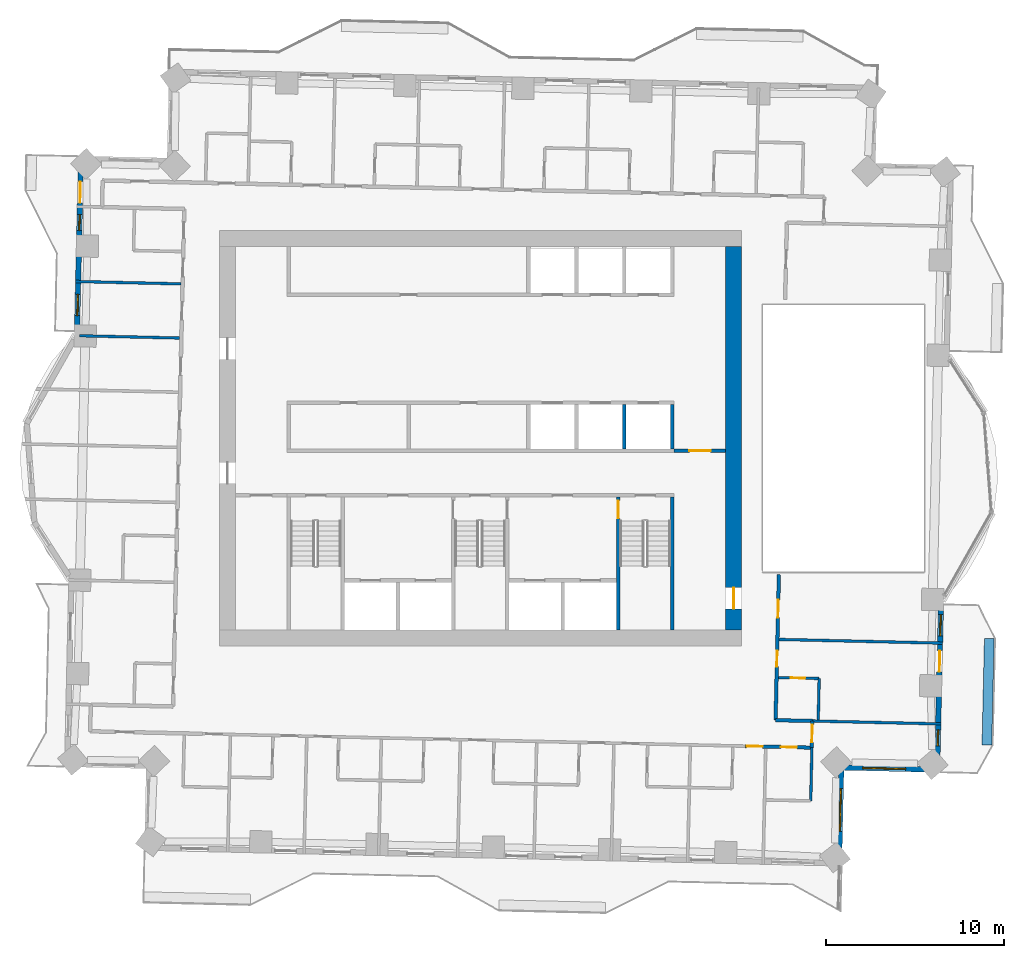
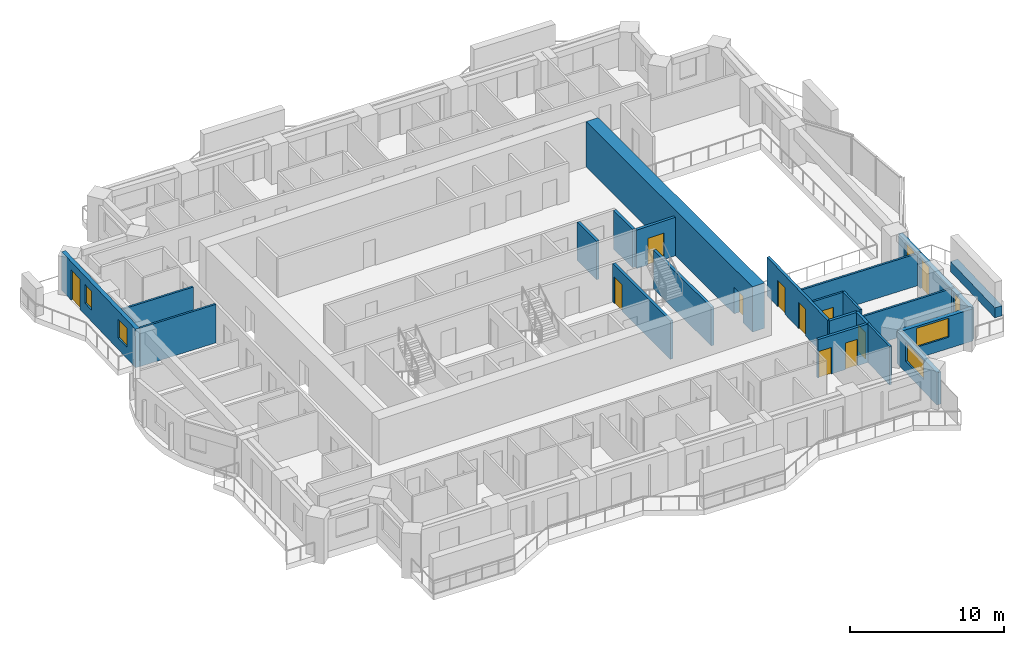
# One storey, part 7 of 14: 22 walls, 11 doors, 6 windows, 17 openings.
"""IFC4 building model written with IfcOpenShell, lengths in metres."""

from ifc_helpers import new_model, si_unit, direction, frame, frame_2d, origin, place, context, subcontext, project, spatial, rectangle, extrude, material, layer, layer_set, type_object, element, fill, save


model = new_model("IFC4")

# Units and contexts
model_context = context("Model", 3, precision=1e-05, world=origin(), true_north=direction((0.0, 1.0)))
body_context = subcontext(model_context, "Body", "Model", "MODEL_VIEW")
ifc_project = project(units=[si_unit("LENGTHUNIT", "METRE"), si_unit("AREAUNIT", "SQUARE_METRE"), si_unit("VOLUMEUNIT", "CUBIC_METRE"), si_unit("PLANEANGLEUNIT", "RADIAN"), si_unit("MASSUNIT", "GRAM", prefix="KILO")], contexts=[model_context])

# Site, building, storey
site_placement = place(None, origin())
site = spatial("IfcSite", under=ifc_project, at=site_placement, CompositionType="ELEMENT")
building_placement = place(site_placement, origin())
building = spatial("IfcBuilding", under=site, at=building_placement, Name="Mangrove Gate Tower", CompositionType="ELEMENT")
storey_placement = place(building_placement, frame((0.0, 0.0, 159.89990234375)))
storey = spatial("IfcBuildingStorey", under=building, at=storey_placement, Name="L40", CompositionType="ELEMENT", Elevation=159.89990234375)

# Wall, opening, door
ifc_material_1 = material(Name="Concrete C32/40", Category="concrete")
ifc_layer_1 = layer(ifc_material_1, 0.199951171875)
ifc_layer_set_1 = layer_set([ifc_layer_1], Name="Core lobby wall 200 C32/40")
wall_type_1 = type_object("IfcWallType", Name="Core lobby wall 200 C32/40", PredefinedType="STANDARD", material=ifc_layer_set_1)
wall_1_placement = place(storey_placement, frame((10.89990234375, -0.699951171875, 0.0), z_axis=(0.0, 0.0, 1.0), x_axis=(1.0, 0.0, 0.0)))
wall_1 = element("IfcWall", 1, at=wall_1_placement, inside=storey, type_object=wall_type_1, Name="WALL-L40-CORE-31", PredefinedType="STANDARD", context=body_context, shape_type="SweptSolid", body=[
    extrude(rectangle(XDim=2.900146484375, YDim=0.199951171875, at=frame_2d((1.4501953125, 0.0))), origin(), (0.0, 0.0, 1.0), 3.050048828125),
])
opening_1_placement = place(wall_1_placement, frame((0.85009765625, 0.0, 0.0)))
opening_1 = element("IfcOpeningElement", 2, at=opening_1_placement, cuts=wall_1, Name="Opening FL12", PredefinedType="OPENING", context=body_context, shape_type="SweptSolid", body=[
    extrude(rectangle(XDim=1.199951171875, YDim=2.10009765625, at=frame_2d((0.60009765625, 1.050048828125))), frame((0.0, 0.10986328125, 0.0), z_axis=(0.0, -1.0, 0.0), x_axis=(1.0, 0.0, 0.0)), (0.0, 0.0, 1.0), 0.219970703125),
])
ifc_material_2 = material(Name="Fire-rated steel door set", Category="steel")
door_type_1 = type_object("IfcDoorType", Name="Lobby door FD60 1200x2100", OperationType="SINGLE_SWING_LEFT", PredefinedType="DOOR", material=ifc_material_2)
door_1_placement = place(opening_1_placement, origin())
door_1 = element("IfcDoor", 3, at=door_1_placement, inside=storey, type_object=door_type_1, Name="Lobby door core corridor E partition", OperationType="SINGLE_SWING_LEFT", OverallHeight=2.10009765625, OverallWidth=1.199951171875, PredefinedType="DOOR", context=body_context, shape_type="SweptSolid", body=[
    extrude(rectangle(XDim=1.199951171875, YDim=2.10009765625, at=frame_2d((0.60009765625, 1.050048828125))), frame((0.0, 0.02490234375, 0.0), z_axis=(0.0, -1.0, 0.0), x_axis=(1.0, 0.0, 0.0)), (0.0, 0.0, 1.0), 0.050048828125),
])
fill(opening_1, door_1)

# Walls
ifc_material_3 = material(Name="Concrete C60/75", Category="concrete")
ifc_layer_2 = layer(ifc_material_3, 0.199951171875)
ifc_layer_set_2 = layer_set([ifc_layer_2], Name="Core shaft wall 200 C60/75")
wall_type_2 = type_object("IfcWallType", Name="Core shaft wall 200 C60/75", PredefinedType="SHEAR", material=ifc_layer_set_2)
for number, where, z_axis, x_axis, name in (
    (4, (8.10009765625, -0.60009765625, 0.0), (0.0, 0.0, 1.0), (0.0, 1.0, 0.0), "WALL-L40-CORE-23"),
    (5, (10.800048828125, -0.60009765625, 0.0), (0.0, 0.0, 1.0), (0.0, 1.0, 0.0), "WALL-L40-CORE-24"),
):
    element("IfcWall", number, at=place(storey_placement, frame(where, z_axis=z_axis, x_axis=x_axis)), inside=storey, type_object=wall_type_2, Name=name, PredefinedType="SHEAR", context=body_context, shape_type="SweptSolid", body=[
        extrude(rectangle(XDim=2.5, YDim=0.199951171875, at=frame_2d((1.25, 0.0))), origin(), (0.0, 0.0, 1.0), 3.050048828125),
    ])

# Wall, opening, door
ifc_material_4 = material(Name="Concrete C60/75", Category="concrete")
ifc_layer_3 = layer(ifc_material_4, 0.199951171875)
ifc_layer_set_3 = layer_set([ifc_layer_3], Name="Core stair wall 200 C60/75")
wall_type_3 = type_object("IfcWallType", Name="Core stair wall 200 C60/75", PredefinedType="SHEAR", material=ifc_layer_set_3)
wall_2_placement = place(storey_placement, frame((7.75, -10.800048828125, 0.0), z_axis=(0.0, 0.0, 1.0), x_axis=(0.0, 1.0, 0.0)))
wall_2 = element("IfcWall", 6, at=wall_2_placement, inside=storey, type_object=wall_type_3, Name="WALL-L40-CORE-13", PredefinedType="SHEAR", context=body_context, shape_type="SweptSolid", body=[
    extrude(rectangle(XDim=7.5, YDim=0.199951171875, at=frame_2d((3.75, 0.0))), origin(), (0.0, 0.0, 1.0), 3.050048828125),
])
opening_2_placement = place(wall_2_placement, frame((6.300048828125, 0.0, 0.0)))
opening_2 = element("IfcOpeningElement", 7, at=opening_2_placement, cuts=wall_2, Name="Opening STD10", PredefinedType="OPENING", context=body_context, shape_type="SweptSolid", body=[
    extrude(rectangle(XDim=1.0, YDim=2.10009765625, at=frame_2d((0.5, 1.050048828125))), frame((0.0, 0.10986328125, 0.0), z_axis=(0.0, -1.0, 0.0), x_axis=(1.0, 0.0, 0.0)), (0.0, 0.0, 1.0), 0.219970703125),
])
ifc_material_5 = material(Name="Fire-rated steel door set", Category="steel")
door_type_2 = type_object("IfcDoorType", Name="Stair door FD60 1000x2100", OperationType="SINGLE_SWING_RIGHT", PredefinedType="DOOR", material=ifc_material_5)
door_2_placement = place(opening_2_placement, origin())
door_2 = element("IfcDoor", 8, at=door_2_placement, inside=storey, type_object=door_type_2, Name="Stair door Stair 3 from fire-fighting lobby", OperationType="SINGLE_SWING_RIGHT", OverallHeight=2.10009765625, OverallWidth=1.0, PredefinedType="DOOR", context=body_context, shape_type="SweptSolid", body=[
    extrude(rectangle(XDim=1.0, YDim=2.10009765625, at=frame_2d((0.5, 1.050048828125))), frame((0.0, 0.02490234375, 0.0), z_axis=(0.0, -1.0, 0.0), x_axis=(1.0, 0.0, 0.0)), (0.0, 0.0, 1.0), 0.050048828125),
])
fill(opening_2, door_2)

# Wall
wall_3_placement = place(storey_placement, frame((10.800048828125, -10.800048828125, 0.0), z_axis=(0.0, 0.0, 1.0), x_axis=(0.0, 1.0, 0.0)))
element("IfcWall", 9, at=wall_3_placement, inside=storey, type_object=wall_type_3, Name="WALL-L40-CORE-14", PredefinedType="SHEAR", context=body_context, shape_type="SweptSolid", body=[
    extrude(rectangle(XDim=7.5, YDim=0.199951171875, at=frame_2d((3.75, 0.0))), origin(), (0.0, 0.0, 1.0), 3.050048828125),
])

# Wall, opening, door
ifc_material_6 = material(Name="Concrete C60/75", Category="concrete")
ifc_layer_4 = layer(ifc_material_6, 0.89990234375)
ifc_layer_set_4 = layer_set([ifc_layer_4], Name="Core wall 900 C60/75")
wall_type_4 = type_object("IfcWallType", Name="Core wall 900 C60/75", PredefinedType="SHEAR", material=ifc_layer_set_4)
wall_4_placement = place(storey_placement, frame((14.25, -10.800048828125, 0.0), z_axis=(0.0, 0.0, 1.0), x_axis=(0.0, 1.0, 0.0)))
wall_4 = element("IfcWall", 10, at=wall_4_placement, inside=storey, type_object=wall_type_4, Name="WALL-L40-CORE-4", PredefinedType="SHEAR", context=body_context, shape_type="SweptSolid", body=[
    extrude(rectangle(XDim=21.60009765625, YDim=0.89990234375, at=frame_2d((10.800048828125, 0.0))), origin(), (0.0, 0.0, 1.0), 3.60009765625),
])
opening_3_placement = place(wall_4_placement, frame((1.199951171875, 0.0, 0.0)))
opening_3 = element("IfcOpeningElement", 11, at=opening_3_placement, cuts=wall_4, Name="Opening CD", PredefinedType="OPENING", context=body_context, shape_type="SweptSolid", body=[
    extrude(rectangle(XDim=1.199951171875, YDim=2.10009765625, at=frame_2d((0.60009765625, 1.050048828125))), frame((0.0, 0.4599609375, 0.0), z_axis=(0.0, -1.0, 0.0), x_axis=(1.0, 0.0, 0.0)), (0.0, 0.0, 1.0), 0.919921875),
])
ifc_material_7 = material(Name="Fire-rated steel door set", Category="steel")
door_type_3 = type_object("IfcDoorType", Name="Core ring door FD60 1200x2100", OperationType="DOUBLE_DOOR_SINGLE_SWING", PredefinedType="DOOR", material=ifc_material_7)
door_3_placement = place(opening_3_placement, origin())
door_3 = element("IfcDoor", 12, at=door_3_placement, inside=storey, type_object=door_type_3, Name="Core ring door E1", OperationType="DOUBLE_DOOR_SINGLE_SWING", OverallHeight=2.10009765625, OverallWidth=1.199951171875, PredefinedType="DOOR", context=body_context, shape_type="SweptSolid", body=[
    extrude(rectangle(XDim=1.199951171875, YDim=2.10009765625, at=frame_2d((0.60009765625, 1.050048828125))), frame((0.0, 0.02490234375, 0.0), z_axis=(0.0, -1.0, 0.0), x_axis=(1.0, 0.0, 0.0)), (0.0, 0.0, 1.0), 0.050048828125),
])
fill(opening_3, door_3)

ifc_material_8 = material(Name="Gypsum board on steel stud, EI 60", Category="steel")
ifc_layer_5 = layer(ifc_material_8, 0.199951171875)
ifc_layer_set_5 = layer_set([ifc_layer_5], Name="Corridor wall EI 60")
wall_type_5 = type_object("IfcWallType", Name="Corridor wall EI 60", PredefinedType="PARTITIONING", material=ifc_layer_set_5)
wall_5_placement = place(storey_placement, frame((18.64697265625, -17.4150390625, 0.0), z_axis=(0.0, 0.0, 1.0), x_axis=(0.022617910375, 0.999744182344, 0.0)))
wall_5 = element("IfcWall", 13, at=wall_5_placement, inside=storey, type_object=wall_type_5, Name="WALL-L40-025", PredefinedType="PARTITIONING", context=body_context, shape_type="SweptSolid", body=[
    extrude(rectangle(XDim=1.50048828125, YDim=0.199951171875, at=frame_2d((0.750244140625, 0.0))), origin(), (0.0, 0.0, 1.0), 3.050048828125),
])
opening_4_placement = place(wall_5_placement, frame((0.300048828125, 0.0, 0.0)))
opening_4 = element("IfcOpeningElement", 14, at=opening_4_placement, cuts=wall_5, Name="Opening AD", PredefinedType="OPENING", context=body_context, shape_type="SweptSolid", body=[
    extrude(rectangle(XDim=1.0, YDim=2.10009765625, at=frame_2d((0.5, 1.050048828125))), frame((0.0, 0.10986328125, 0.0), z_axis=(0.0, -1.0, 0.0), x_axis=(1.0, 0.0, 0.0)), (0.0, 0.0, 1.0), 0.219970703125),
])
ifc_material_9 = material(Name="Timber door leaf", Category="wood")
door_type_4 = type_object("IfcDoorType", Name="Amenity door 1000", OperationType="SINGLE_SWING_LEFT", PredefinedType="DOOR", material=ifc_material_9)
door_4_placement = place(opening_4_placement, origin())
door_4 = element("IfcDoor", 15, at=door_4_placement, inside=storey, type_object=door_type_4, Name="DOOR-L40-STU-c3a", OperationType="SINGLE_SWING_RIGHT", OverallHeight=2.10009765625, OverallWidth=1.0, PredefinedType="DOOR", context=body_context, shape_type="SweptSolid", body=[
    extrude(rectangle(XDim=1.0, YDim=2.10009765625, at=frame_2d((0.5, 1.050048828125))), frame((0.0, 0.02490234375, 0.0), z_axis=(0.0, -1.0, 0.0), x_axis=(1.0, 0.0, 0.0)), (0.0, 0.0, 1.0), 0.050048828125),
])
fill(opening_4, door_4)

# Wall, openings, doors
wall_6_placement = place(storey_placement, frame((14.8798828125, -17.324951171875, 0.0), z_axis=(0.0, 0.0, 1.0), x_axis=(0.999739622, -0.022818593369, 0.0)))
wall_6 = element("IfcWall", 16, at=wall_6_placement, inside=storey, type_object=wall_type_5, Name="WALL-L40-028", PredefinedType="PARTITIONING", context=body_context, shape_type="SweptSolid", body=[
    extrude(rectangle(XDim=3.76611328125, YDim=0.199951171875, at=frame_2d((1.883056640625, 0.0))), origin(), (0.0, 0.0, 1.0), 3.050048828125),
])
opening_5_placement = place(wall_6_placement, frame((0.10009765625, 0.0, 0.0)))
opening_5 = element("IfcOpeningElement", 17, at=opening_5_placement, cuts=wall_6, Name="Opening BD", PredefinedType="OPENING", context=body_context, shape_type="SweptSolid", body=[
    extrude(rectangle(XDim=0.89990234375, YDim=2.10009765625, at=frame_2d((0.449951171875, 1.050048828125))), frame((0.0, 0.10986328125, 0.0), z_axis=(0.0, -1.0, 0.0), x_axis=(1.0, 0.0, 0.0)), (0.0, 0.0, 1.0), 0.219970703125),
])
opening_6_placement = place(wall_6_placement, frame((2.028076171875, 0.0, 0.0)))
opening_6 = element("IfcOpeningElement", 18, at=opening_6_placement, cuts=wall_6, Name="Opening SD", PredefinedType="OPENING", context=body_context, shape_type="SweptSolid", body=[
    extrude(rectangle(XDim=0.89990234375, YDim=2.10009765625, at=frame_2d((0.449951171875, 1.050048828125))), frame((0.0, 0.10986328125, 0.0), z_axis=(0.0, -1.0, 0.0), x_axis=(1.0, 0.0, 0.0)), (0.0, 0.0, 1.0), 0.219970703125),
])
ifc_material_10 = material(Name="Timber door leaf", Category="wood")
door_type_5 = type_object("IfcDoorType", Name="Bedroom door 900", OperationType="SINGLE_SWING_LEFT", PredefinedType="DOOR", material=ifc_material_10)
door_5_placement = place(opening_5_placement, origin())
door_5 = element("IfcDoor", 19, at=door_5_placement, inside=storey, type_object=door_type_5, Name="DOOR-L40-BED-c307", OperationType="SINGLE_SWING_LEFT", OverallHeight=2.10009765625, OverallWidth=0.89990234375, PredefinedType="DOOR", context=body_context, shape_type="SweptSolid", body=[
    extrude(rectangle(XDim=0.89990234375, YDim=2.10009765625, at=frame_2d((0.449951171875, 1.050048828125))), frame((0.0, 0.02490234375, 0.0), z_axis=(0.0, -1.0, 0.0), x_axis=(1.0, 0.0, 0.0)), (0.0, 0.0, 1.0), 0.050048828125),
])
fill(opening_5, door_5)
ifc_material_11 = material(Name="Timber door leaf", Category="wood")
door_type_6 = type_object("IfcDoorType", Name="Service room door 900", OperationType="SINGLE_SWING_LEFT", PredefinedType="DOOR", material=ifc_material_11)
door_6_placement = place(opening_6_placement, origin())
door_6 = element("IfcDoor", 20, at=door_6_placement, inside=storey, type_object=door_type_6, Name="DOOR-L40-AWC-c3a", OperationType="SINGLE_SWING_RIGHT", OverallHeight=2.10009765625, OverallWidth=0.89990234375, PredefinedType="DOOR", context=body_context, shape_type="SweptSolid", body=[
    extrude(rectangle(XDim=0.89990234375, YDim=2.10009765625, at=frame_2d((0.449951171875, 1.050048828125))), frame((0.0, 0.02490234375, 0.0), z_axis=(0.0, -1.0, 0.0), x_axis=(1.0, 0.0, 0.0)), (0.0, 0.0, 1.0), 0.050048828125),
])
fill(opening_6, door_6)

wall_7_placement = place(storey_placement, frame((16.611083984375, -15.867919921875, 0.0), z_axis=(0.0, 0.0, 1.0), x_axis=(0.022698399288, 0.999742358145, 0.0)))
wall_7 = element("IfcWall", 21, at=wall_7_placement, inside=storey, type_object=wall_type_5, Name="WALL-L40-031", PredefinedType="PARTITIONING", context=body_context, shape_type="SweptSolid", body=[
    extrude(rectangle(XDim=8.196044921875, YDim=0.199951171875, at=frame_2d((4.09814453125, 0.0))), origin(), (0.0, 0.0, 1.0), 3.050048828125),
])
opening_7_placement = place(wall_7_placement, frame((3.02490234375, 0.0, 0.0)))
opening_7 = element("IfcOpeningElement", 22, at=opening_7_placement, cuts=wall_7, Name="Opening BD", PredefinedType="OPENING", context=body_context, shape_type="SweptSolid", body=[
    extrude(rectangle(XDim=0.89990234375, YDim=2.10009765625, at=frame_2d((0.449951171875, 1.050048828125))), frame((0.0, 0.10986328125, 0.0), z_axis=(0.0, -1.0, 0.0), x_axis=(1.0, 0.0, 0.0)), (0.0, 0.0, 1.0), 0.219970703125),
])
opening_8_placement = place(wall_7_placement, frame((5.785888671875, 0.0, 0.0)))
opening_8 = element("IfcOpeningElement", 23, at=opening_8_placement, cuts=wall_7, Name="Opening AD", PredefinedType="OPENING", context=body_context, shape_type="SweptSolid", body=[
    extrude(rectangle(XDim=1.0, YDim=2.10009765625, at=frame_2d((0.5, 1.050048828125))), frame((0.0, 0.10986328125, 0.0), z_axis=(0.0, -1.0, 0.0), x_axis=(1.0, 0.0, 0.0)), (0.0, 0.0, 1.0), 0.219970703125),
])
door_7_placement = place(opening_8_placement, origin())
door_7 = element("IfcDoor", 24, at=door_7_placement, inside=storey, type_object=door_type_4, Name="DOOR-L40-STU-c3b", OperationType="SINGLE_SWING_LEFT", OverallHeight=2.10009765625, OverallWidth=1.0, PredefinedType="DOOR", context=body_context, shape_type="SweptSolid", body=[
    extrude(rectangle(XDim=1.0, YDim=2.10009765625, at=frame_2d((0.5, 1.050048828125))), frame((0.0, 0.02490234375, 0.0), z_axis=(0.0, -1.0, 0.0), x_axis=(1.0, 0.0, 0.0)), (0.0, 0.0, 1.0), 0.050048828125),
])
fill(opening_8, door_7)
door_8_placement = place(opening_7_placement, origin())
door_8 = element("IfcDoor", 25, at=door_8_placement, inside=storey, type_object=door_type_5, Name="DOOR-L40-BED-c308", OperationType="SINGLE_SWING_RIGHT", OverallHeight=2.10009765625, OverallWidth=0.89990234375, PredefinedType="DOOR", context=body_context, shape_type="SweptSolid", body=[
    extrude(rectangle(XDim=0.89990234375, YDim=2.10009765625, at=frame_2d((0.449951171875, 1.050048828125))), frame((0.0, 0.02490234375, 0.0), z_axis=(0.0, -1.0, 0.0), x_axis=(1.0, 0.0, 0.0)), (0.0, 0.0, 1.0), 0.050048828125),
])
fill(opening_7, door_8)

# Wall
wall_8_placement = place(storey_placement, frame((16.612060546875, -15.864013671875, 0.0), z_axis=(0.0, 0.0, 1.0), x_axis=(0.999742931749, -0.02267312106, 0.0)))
element("IfcWall", 26, at=wall_8_placement, inside=storey, type_object=wall_type_5, Name="WALL-L40-035", PredefinedType="PARTITIONING", context=body_context, shape_type="SweptSolid", body=[
    extrude(rectangle(XDim=2.0673828125, YDim=0.199951171875, at=frame_2d((1.03369140625, 0.0))), origin(), (0.0, 0.0, 1.0), 3.050048828125),
])

# Wall, openings, door, windows
ifc_material_12 = material(Name="Limestone", Category="masonry")
ifc_layer_6 = layer(ifc_material_12, 0.0400390625, Name="Limestone cladding")
ifc_material_13 = material(Name="Ventilated air gap")
ifc_layer_7 = layer(ifc_material_13, 0.0400390625, Name="Ventilated cavity")
ifc_material_14 = material(Name="Mineral wool insulation")
ifc_layer_8 = layer(ifc_material_14, 0.06005859375, Name="Insulation")
ifc_material_15 = material(Name="Breather membrane")
ifc_layer_9 = layer(ifc_material_15, 0.001953125, Name="Breather membrane")
ifc_material_16 = material(Name="Concrete C20/25 blockwork", Category="masonry")
ifc_layer_10 = layer(ifc_material_16, 0.14990234375, Name="Blockwork backing wall")
ifc_material_17 = material(Name="Gypsum plaster")
ifc_layer_11 = layer(ifc_material_17, 0.008056640625, Name="Internal plaster")
ifc_layer_set_6 = layer_set([ifc_layer_6, ifc_layer_7, ifc_layer_8, ifc_layer_9, ifc_layer_10, ifc_layer_11], Name="External wall 300 limestone cladding")
wall_type_6 = type_object("IfcWallType", Name="External wall 300 limestone cladding", PredefinedType="SOLIDWALL", material=ifc_layer_set_6)
wall_9_placement = place(storey_placement, frame((25.7099609375, -18.65087890625, 0.0), z_axis=(0.0, 0.0, 1.0), x_axis=(0.02274444447, 0.999741311663, 0.0)))
wall_9 = element("IfcWall", 27, at=wall_9_placement, inside=storey, type_object=wall_type_6, Name="WALL-L40-E0", PredefinedType="SOLIDWALL", context=body_context, shape_type="SweptSolid", body=[
    extrude(rectangle(XDim=9.62841796875, YDim=0.300048828125, at=frame_2d((4.814208984375, 0.0))), origin(), (0.0, 0.0, 1.0), 2.550048828125),
])
opening_9_placement = place(wall_9_placement, frame((1.3369140625, 0.0, 0.89990234375)))
opening_9 = element("IfcOpeningElement", 28, at=opening_9_placement, cuts=wall_9, Name="Opening W5", PredefinedType="OPENING", context=body_context, shape_type="SweptSolid", body=[
    extrude(rectangle(XDim=0.89990234375, YDim=1.5, at=frame_2d((0.449951171875, 0.75))), frame((0.0, 0.159912109375, 0.0), z_axis=(0.0, -1.0, 0.0), x_axis=(1.0, 0.0, 0.0)), (0.0, 0.0, 1.0), 0.320068359375),
])
opening_10_placement = place(wall_9_placement, frame((5.506103515625, 0.0, 0.0)))
opening_10 = element("IfcOpeningElement", 29, at=opening_10_placement, cuts=wall_9, Name="Opening BD2", PredefinedType="OPENING", context=body_context, shape_type="SweptSolid", body=[
    extrude(rectangle(XDim=1.199951171875, YDim=2.39990234375, at=frame_2d((0.60009765625, 1.199951171875))), frame((0.0, 0.159912109375, 0.0), z_axis=(0.0, -1.0, 0.0), x_axis=(1.0, 0.0, 0.0)), (0.0, 0.0, 1.0), 0.320068359375),
])
opening_11_placement = place(wall_9_placement, frame((7.537109375, 0.0, 0.89990234375)))
opening_11 = element("IfcOpeningElement", 30, at=opening_11_placement, cuts=wall_9, Name="Opening W1", PredefinedType="OPENING", context=body_context, shape_type="SweptSolid", body=[
    extrude(rectangle(XDim=1.199951171875, YDim=1.5, at=frame_2d((0.60009765625, 0.75))), frame((0.0, 0.159912109375, 0.0), z_axis=(0.0, -1.0, 0.0), x_axis=(1.0, 0.0, 0.0)), (0.0, 0.0, 1.0), 0.320068359375),
])
ifc_material_18 = material(Name="Aluminium frame with laminated clear glass", Category="aluminium")
door_type_7 = type_object("IfcDoorType", Name="Balcony sliding door 1200x2400", OperationType="SLIDING_TO_LEFT", PredefinedType="DOOR", material=ifc_material_18)
door_9_placement = place(opening_10_placement, origin())
door_9 = element("IfcDoor", 31, at=door_9_placement, inside=storey, type_object=door_type_7, Name="DOOR-L40-E0-2", OperationType="SLIDING_TO_LEFT", OverallHeight=2.39990234375, OverallWidth=1.199951171875, PredefinedType="DOOR", context=body_context, shape_type="SweptSolid", body=[
    extrude(rectangle(XDim=1.199951171875, YDim=2.39990234375, at=frame_2d((0.60009765625, 1.199951171875))), frame((0.0, 0.02490234375, 0.0), z_axis=(0.0, -1.0, 0.0), x_axis=(1.0, 0.0, 0.0)), (0.0, 0.0, 1.0), 0.050048828125),
])
fill(opening_10, door_9)
ifc_material_19 = material(Name="Aluminium frame with double-glazed low-e glass", Category="aluminium")
window_type_1 = type_object("IfcWindowType", Name="Narrow window 900x1500", PartitioningType="SINGLE_PANEL", PredefinedType="WINDOW", material=ifc_material_19)
window_1_placement = place(opening_9_placement, origin())
window_1 = element("IfcWindow", 32, at=window_1_placement, inside=storey, type_object=window_type_1, Name="WIN-L40-E0-1", OverallHeight=1.5, OverallWidth=0.89990234375, PartitioningType="SINGLE_PANEL", PredefinedType="WINDOW", context=body_context, shape_type="SweptSolid", body=[
    extrude(rectangle(XDim=0.89990234375, YDim=1.5, at=frame_2d((0.449951171875, 0.75))), frame((0.0, 0.030029296875, 0.0), z_axis=(0.0, -1.0, 0.0), x_axis=(1.0, 0.0, 0.0)), (0.0, 0.0, 1.0), 0.06005859375),
])
fill(opening_9, window_1)
ifc_material_20 = material(Name="Aluminium frame with double-glazed low-e glass", Category="aluminium")
window_type_2 = type_object("IfcWindowType", Name="Side lite 1200x1500", PartitioningType="SINGLE_PANEL", PredefinedType="WINDOW", material=ifc_material_20)
window_2_placement = place(opening_11_placement, origin())
window_2 = element("IfcWindow", 33, at=window_2_placement, inside=storey, type_object=window_type_2, Name="WIN-L40-E0-3", OverallHeight=1.5, OverallWidth=1.199951171875, PartitioningType="SINGLE_PANEL", PredefinedType="WINDOW", context=body_context, shape_type="SweptSolid", body=[
    extrude(rectangle(XDim=1.199951171875, YDim=1.5, at=frame_2d((0.60009765625, 0.75))), frame((0.0, 0.030029296875, 0.0), z_axis=(0.0, -1.0, 0.0), x_axis=(1.0, 0.0, 0.0)), (0.0, 0.0, 1.0), 0.06005859375),
])
fill(opening_11, window_2)

wall_10_placement = place(storey_placement, frame((-22.5009765625, 15.7509765625, 0.0), z_axis=(0.0, 0.0, 1.0), x_axis=(-0.022737995473, -0.999741458359, 0.0)))
wall_10 = element("IfcWall", 34, at=wall_10_placement, inside=storey, type_object=wall_type_6, Name="WALL-L40-W8", PredefinedType="SOLIDWALL", context=body_context, shape_type="SweptSolid", body=[
    extrude(rectangle(XDim=10.028564453125, YDim=0.300048828125, at=frame_2d((5.01416015625, 0.0))), origin(), (0.0, 0.0, 1.0), 3.050048828125),
])
opening_12_placement = place(wall_10_placement, frame((1.287109375, 0.0, 0.0)))
opening_12 = element("IfcOpeningElement", 35, at=opening_12_placement, cuts=wall_10, Name="Opening BD2", PredefinedType="OPENING", context=body_context, shape_type="SweptSolid", body=[
    extrude(rectangle(XDim=1.199951171875, YDim=2.39990234375, at=frame_2d((0.60009765625, 1.199951171875))), frame((0.0, 0.159912109375, 0.0), z_axis=(0.0, -1.0, 0.0), x_axis=(1.0, 0.0, 0.0)), (0.0, 0.0, 1.0), 0.320068359375),
])
opening_13_placement = place(wall_10_placement, frame((3.14404296875, 0.0, 0.89990234375)))
opening_13 = element("IfcOpeningElement", 36, at=opening_13_placement, cuts=wall_10, Name="Opening W5", PredefinedType="OPENING", context=body_context, shape_type="SweptSolid", body=[
    extrude(rectangle(XDim=0.89990234375, YDim=1.5, at=frame_2d((0.449951171875, 0.75))), frame((0.0, 0.159912109375, 0.0), z_axis=(0.0, -1.0, 0.0), x_axis=(1.0, 0.0, 0.0)), (0.0, 0.0, 1.0), 0.320068359375),
])
opening_14_placement = place(wall_10_placement, frame((7.636962890625, 0.0, 0.89990234375)))
opening_14 = element("IfcOpeningElement", 37, at=opening_14_placement, cuts=wall_10, Name="Opening W1", PredefinedType="OPENING", context=body_context, shape_type="SweptSolid", body=[
    extrude(rectangle(XDim=1.199951171875, YDim=1.5, at=frame_2d((0.60009765625, 0.75))), frame((0.0, 0.159912109375, 0.0), z_axis=(0.0, -1.0, 0.0), x_axis=(1.0, 0.0, 0.0)), (0.0, 0.0, 1.0), 0.320068359375),
])
door_10_placement = place(opening_12_placement, origin())
door_10 = element("IfcDoor", 38, at=door_10_placement, inside=storey, type_object=door_type_7, Name="DOOR-L40-W8-1", OperationType="SLIDING_TO_LEFT", OverallHeight=2.39990234375, OverallWidth=1.199951171875, PredefinedType="DOOR", context=body_context, shape_type="SweptSolid", body=[
    extrude(rectangle(XDim=1.199951171875, YDim=2.39990234375, at=frame_2d((0.60009765625, 1.199951171875))), frame((0.0, 0.02490234375, 0.0), z_axis=(0.0, -1.0, 0.0), x_axis=(1.0, 0.0, 0.0)), (0.0, 0.0, 1.0), 0.050048828125),
])
fill(opening_12, door_10)
window_3_placement = place(opening_13_placement, origin())
window_3 = element("IfcWindow", 39, at=window_3_placement, inside=storey, type_object=window_type_1, Name="WIN-L40-W8-2", OverallHeight=1.5, OverallWidth=0.89990234375, PartitioningType="SINGLE_PANEL", PredefinedType="WINDOW", context=body_context, shape_type="SweptSolid", body=[
    extrude(rectangle(XDim=0.89990234375, YDim=1.5, at=frame_2d((0.449951171875, 0.75))), frame((0.0, 0.030029296875, 0.0), z_axis=(0.0, -1.0, 0.0), x_axis=(1.0, 0.0, 0.0)), (0.0, 0.0, 1.0), 0.06005859375),
])
fill(opening_13, window_3)
window_4_placement = place(opening_14_placement, origin())
window_4 = element("IfcWindow", 40, at=window_4_placement, inside=storey, type_object=window_type_2, Name="WIN-L40-W8-3", OverallHeight=1.5, OverallWidth=1.199951171875, PartitioningType="SINGLE_PANEL", PredefinedType="WINDOW", context=body_context, shape_type="SweptSolid", body=[
    extrude(rectangle(XDim=1.199951171875, YDim=1.5, at=frame_2d((0.60009765625, 0.75))), frame((0.0, 0.030029296875, 0.0), z_axis=(0.0, -1.0, 0.0), x_axis=(1.0, 0.0, 0.0)), (0.0, 0.0, 1.0), 0.06005859375),
])
fill(opening_14, window_4)

# Wall, opening, window
wall_11_placement = place(storey_placement, frame((20.18896484375, -23.927001953125, 0.0), z_axis=(0.0, 0.0, 1.0), x_axis=(0.022789195272, 0.999740292565, 0.0)))
wall_11 = element("IfcWall", 41, at=wall_11_placement, inside=storey, type_object=wall_type_6, Name="WALL-L40-E14", PredefinedType="SOLIDWALL", context=body_context, shape_type="SweptSolid", body=[
    extrude(rectangle(XDim=5.3994140625, YDim=0.300048828125, at=frame_2d((2.69970703125, 0.0))), origin(), (0.0, 0.0, 1.0), 2.550048828125),
])
opening_15_placement = place(wall_11_placement, frame((1.81005859375, 0.0, 0.89990234375)))
opening_15 = element("IfcOpeningElement", 42, at=opening_15_placement, cuts=wall_11, Name="Opening W2", PredefinedType="OPENING", context=body_context, shape_type="SweptSolid", body=[
    extrude(rectangle(XDim=2.39990234375, YDim=1.5, at=frame_2d((1.199951171875, 0.75))), frame((0.0, 0.159912109375, 0.0), z_axis=(0.0, -1.0, 0.0), x_axis=(1.0, 0.0, 0.0)), (0.0, 0.0, 1.0), 0.320068359375),
])
ifc_material_21 = material(Name="Aluminium frame with double-glazed low-e glass", Category="aluminium")
window_type_3 = type_object("IfcWindowType", Name="Corner room window 2400x1500", PartitioningType="DOUBLE_PANEL_VERTICAL", PredefinedType="WINDOW", material=ifc_material_21)
window_5_placement = place(opening_15_placement, origin())
window_5 = element("IfcWindow", 43, at=window_5_placement, inside=storey, type_object=window_type_3, Name="WIN-L40-E14-1", OverallHeight=1.5, OverallWidth=2.39990234375, PartitioningType="DOUBLE_PANEL_VERTICAL", PredefinedType="WINDOW", context=body_context, shape_type="SweptSolid", body=[
    extrude(rectangle(XDim=2.39990234375, YDim=1.5, at=frame_2d((1.199951171875, 0.75))), frame((0.0, 0.030029296875, 0.0), z_axis=(0.0, -1.0, 0.0), x_axis=(1.0, 0.0, 0.0)), (0.0, 0.0, 1.0), 0.06005859375),
])
fill(opening_15, window_5)

wall_12_placement = place(storey_placement, frame((20.31201171875, -18.529052734375, 0.0), z_axis=(0.0, 0.0, 1.0), x_axis=(0.999745417973, -0.02256322766, 0.0)))
wall_12 = element("IfcWall", 44, at=wall_12_placement, inside=storey, type_object=wall_type_6, Name="WALL-L40-S15", PredefinedType="SOLIDWALL", context=body_context, shape_type="SweptSolid", body=[
    extrude(rectangle(XDim=5.3994140625, YDim=0.300048828125, at=frame_2d((2.69970703125, 0.0))), origin(), (0.0, 0.0, 1.0), 2.550048828125),
])
opening_16_placement = place(wall_12_placement, frame((1.219970703125, 0.0, 0.89990234375)))
opening_16 = element("IfcOpeningElement", 45, at=opening_16_placement, cuts=wall_12, Name="Opening W2", PredefinedType="OPENING", context=body_context, shape_type="SweptSolid", body=[
    extrude(rectangle(XDim=2.39990234375, YDim=1.5, at=frame_2d((1.199951171875, 0.75))), frame((0.0, 0.159912109375, 0.0), z_axis=(0.0, -1.0, 0.0), x_axis=(1.0, 0.0, 0.0)), (0.0, 0.0, 1.0), 0.320068359375),
])
window_6_placement = place(opening_16_placement, origin())
window_6 = element("IfcWindow", 46, at=window_6_placement, inside=storey, type_object=window_type_3, Name="WIN-L40-S15-1", OverallHeight=1.5, OverallWidth=2.39990234375, PartitioningType="DOUBLE_PANEL_VERTICAL", PredefinedType="WINDOW", context=body_context, shape_type="SweptSolid", body=[
    extrude(rectangle(XDim=2.39990234375, YDim=1.5, at=frame_2d((1.199951171875, 0.75))), frame((0.0, 0.030029296875, 0.0), z_axis=(0.0, -1.0, 0.0), x_axis=(1.0, 0.0, 0.0)), (0.0, 0.0, 1.0), 0.06005859375),
])
fill(opening_16, window_6)

# Walls
ifc_material_22 = material(Name="Gypsum board on steel stud, EI 60", Category="steel")
ifc_layer_12 = layer(ifc_material_22, 0.14990234375)
ifc_layer_set_7 = layer_set([ifc_layer_12], Name="Party wall 150 EI 60")
wall_type_7 = type_object("IfcWallType", Name="Party wall 150 EI 60", PredefinedType="PARTITIONING", material=ifc_layer_set_7)
wall_13_placement = place(storey_placement, frame((18.589111328125, -20.4140625, 0.0), z_axis=(0.0, 0.0, 1.0), x_axis=(0.022625271604, 0.999744015778, 0.0)))
element("IfcWall", 47, at=wall_13_placement, inside=storey, type_object=wall_type_7, Name="WALL-L40-010", PredefinedType="PARTITIONING", context=body_context, shape_type="SweptSolid", body=[
    extrude(rectangle(XDim=2.999755859375, YDim=0.14990234375, at=frame_2d((1.5, 0.0))), origin(), (0.0, 0.0, 1.0), 3.050048828125),
])
wall_14_placement = place(storey_placement, frame((19.011962890625, -15.847900390625, 0.0), z_axis=(0.0, 0.0, 1.0), x_axis=(0.022781023197, 0.999740478815, 0.0)))
element("IfcWall", 48, at=wall_14_placement, inside=storey, type_object=wall_type_7, Name="WALL-L40-032", PredefinedType="PARTITIONING", context=body_context, shape_type="SweptSolid", body=[
    extrude(rectangle(XDim=2.325439453125, YDim=0.14990234375, at=frame_2d((1.16259765625, 0.0))), origin(), (0.0, 0.0, 1.0), 3.050048828125),
])
wall_15_placement = place(storey_placement, frame((18.675048828125, -15.910888671875, 0.0), z_axis=(0.0, 0.0, 1.0), x_axis=(0.999743624132, -0.022642570706, 0.0)))
element("IfcWall", 49, at=wall_15_placement, inside=storey, type_object=wall_type_7, Name="WALL-L40-036", PredefinedType="PARTITIONING", context=body_context, shape_type="SweptSolid", body=[
    extrude(rectangle(XDim=7.245849609375, YDim=0.14990234375, at=frame_2d((3.623046875, 0.0))), origin(), (0.0, 0.0, 1.0), 2.550048828125),
])

# Wall, opening, door
wall_16_placement = place(storey_placement, frame((16.76708984375, -13.467041015625, 0.0), z_axis=(0.0, 0.0, 1.0), x_axis=(0.999744241736, -0.022615284993, 0.0)))
wall_16 = element("IfcWall", 50, at=wall_16_placement, inside=storey, type_object=wall_type_7, Name="WALL-L40-038", PredefinedType="PARTITIONING", context=body_context, shape_type="SweptSolid", body=[
    extrude(rectangle(XDim=2.29931640625, YDim=0.14990234375, at=frame_2d((1.149658203125, 0.0))), origin(), (0.0, 0.0, 1.0), 3.050048828125),
])
opening_17_placement = place(wall_16_placement, frame((0.699951171875, 0.0, 0.0)))
opening_17 = element("IfcOpeningElement", 51, at=opening_17_placement, cuts=wall_16, Name="Opening ED", PredefinedType="OPENING", context=body_context, shape_type="SweptSolid", body=[
    extrude(rectangle(XDim=0.800048828125, YDim=2.10009765625, at=frame_2d((0.39990234375, 1.050048828125))), frame((0.0, 0.0849609375, 0.0), z_axis=(0.0, -1.0, 0.0), x_axis=(1.0, 0.0, 0.0)), (0.0, 0.0, 1.0), 0.169921875),
])
ifc_material_23 = material(Name="Timber door leaf", Category="wood")
door_type_8 = type_object("IfcDoorType", Name="En-suite door 800", OperationType="SINGLE_SWING_LEFT", PredefinedType="DOOR", material=ifc_material_23)
door_11_placement = place(opening_17_placement, origin())
door_11 = element("IfcDoor", 52, at=door_11_placement, inside=storey, type_object=door_type_8, Name="DOOR-L40-ENS-c308", OperationType="SINGLE_SWING_RIGHT", OverallHeight=2.10009765625, OverallWidth=0.800048828125, PredefinedType="DOOR", context=body_context, shape_type="SweptSolid", body=[
    extrude(rectangle(XDim=0.800048828125, YDim=2.10009765625, at=frame_2d((0.39990234375, 1.050048828125))), frame((0.0, 0.02490234375, 0.0), z_axis=(0.0, -1.0, 0.0), x_axis=(1.0, 0.0, 0.0)), (0.0, 0.0, 1.0), 0.050048828125),
])
fill(opening_17, door_11)

# Walls
wall_17_placement = place(storey_placement, frame((16.81591796875, -11.318115234375, 0.0), z_axis=(0.0, 0.0, 1.0), x_axis=(0.999742437445, -0.022694906292, 0.0)))
element("IfcWall", 53, at=wall_17_placement, inside=storey, type_object=wall_type_7, Name="WALL-L40-039", PredefinedType="PARTITIONING", context=body_context, shape_type="SweptSolid", body=[
    extrude(rectangle(XDim=9.20849609375, YDim=0.14990234375, at=frame_2d((4.604248046875, 0.0))), origin(), (0.0, 0.0, 1.0), 2.550048828125),
])
wall_18_placement = place(storey_placement, frame((-22.577880859375, 5.780029296875, 0.0), z_axis=(0.0, 0.0, 1.0), x_axis=(0.999746200787, -0.022528515532, 0.0)))
element("IfcWall", 54, at=wall_18_placement, inside=storey, type_object=wall_type_7, Name="WALL-L40-046", PredefinedType="PARTITIONING", context=body_context, shape_type="SweptSolid", body=[
    extrude(rectangle(XDim=5.63525390625, YDim=0.14990234375, at=frame_2d((2.817626953125, 0.0))), origin(), (0.0, 0.0, 1.0), 3.050048828125),
])
wall_19_placement = place(storey_placement, frame((-22.80810546875, 8.8359375, 0.0), z_axis=(0.0, 0.0, 1.0), x_axis=(0.999744927012, -0.022584970987, 0.0)))
element("IfcWall", 55, at=wall_19_placement, inside=storey, type_object=wall_type_7, Name="WALL-L40-047", PredefinedType="PARTITIONING", context=body_context, shape_type="SweptSolid", body=[
    extrude(rectangle(XDim=5.9345703125, YDim=0.14990234375, at=frame_2d((2.96728515625, 0.0))), origin(), (0.0, 0.0, 1.0), 2.550048828125),
])
ifc_material_24 = material(Name="Concrete C32/40", Category="concrete")
ifc_layer_13 = layer(ifc_material_24, 0.199951171875, Name="Planter trough wall")
ifc_material_25 = material(Name="Bituminous waterproofing membrane")
ifc_layer_14 = layer(ifc_material_25, 0.0048828125, Name="Waterproofing")
ifc_material_26 = material(Name="Drainage board and gravel")
ifc_layer_15 = layer(ifc_material_26, 0.044921875, Name="Drainage layer")
ifc_material_27 = material(Name="Planting soil")
ifc_layer_16 = layer(ifc_material_27, 0.300048828125, Name="Growing medium")
ifc_layer_set_8 = layer_set([ifc_layer_13, ifc_layer_14, ifc_layer_15, ifc_layer_16], Name="Planter wall 550 C32/40")
wall_type_8 = type_object("IfcWallType", Name="Planter wall 550 C32/40", PredefinedType="USERDEFINED", material=ifc_layer_set_8)
wall_20_placement = place(storey_placement, frame((28.508056640625, -17.264892578125, 0.0), z_axis=(0.0, 0.0, 1.0), x_axis=(0.022663177671, 0.999743157205, 0.0)))
element("IfcWall", 56, at=wall_20_placement, inside=storey, type_object=wall_type_8, Name="PLANTER L40 E0.1", ObjectType="PLANTER", PredefinedType="USERDEFINED", context=body_context, shape_type="SweptSolid", body=[
    extrude(rectangle(XDim=6.000244140625, YDim=0.550048828125, at=frame_2d((3.0, 0.0))), origin(), (0.0, 0.0, 1.0), 0.800048828125),
])

save(model, "model.ifc")
